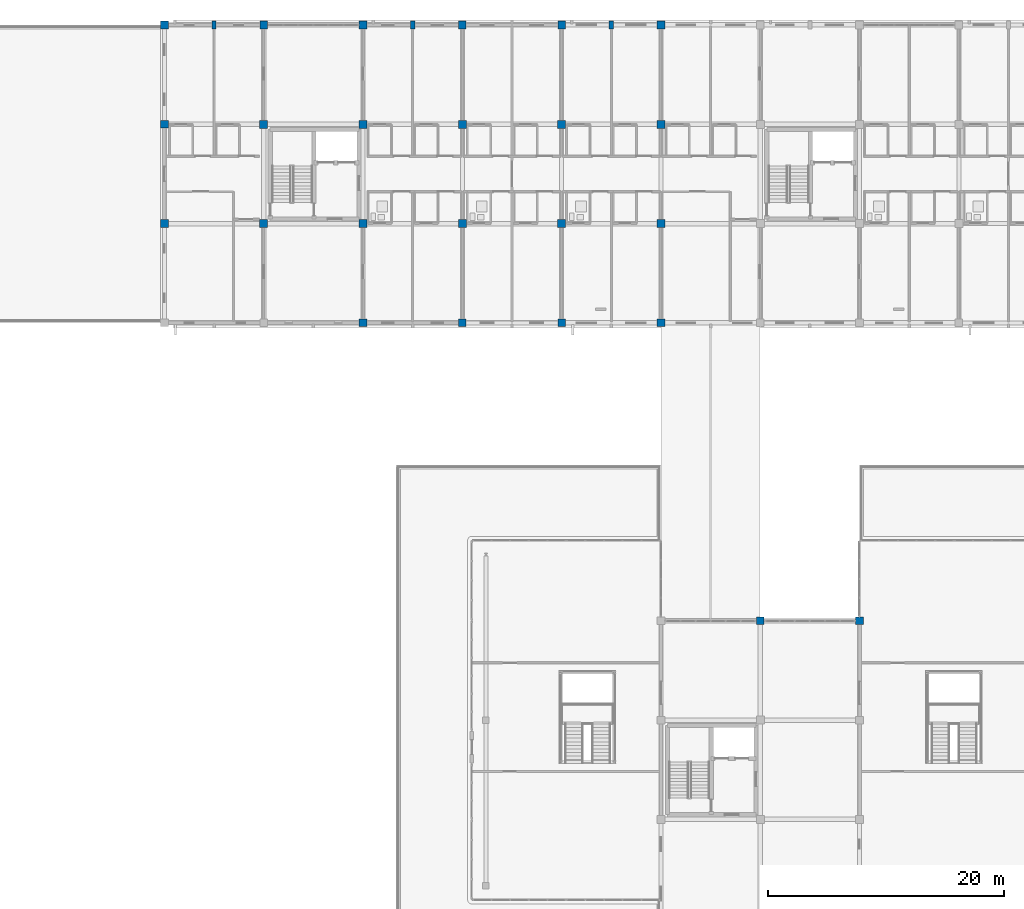
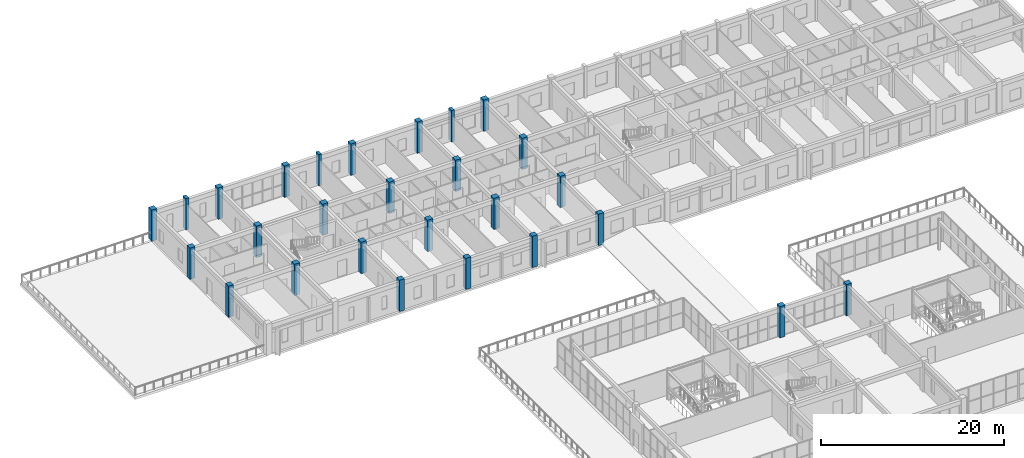
# One storey, part 7 of 90: 27 columns.
"""IFC4 building model written with IfcOpenShell, lengths in metres."""

from ifc_helpers import new_model, si_unit, direction, frame, origin, origin_2d, place, context, subcontext, project, spatial, rectangle, extrude, material, material_profile, profile_set, type_object, element, save


model = new_model("IFC4")

# Units and contexts
model_context = context("Model", 3, precision=1e-05, world=origin(), true_north=direction((0.0, 1.0)))
body_context = subcontext(model_context, "Body", "Model", "MODEL_VIEW")
ifc_project = project(units=[si_unit("LENGTHUNIT", "METRE"), si_unit("AREAUNIT", "SQUARE_METRE"), si_unit("VOLUMEUNIT", "CUBIC_METRE"), si_unit("PLANEANGLEUNIT", "RADIAN"), si_unit("MASSUNIT", "GRAM", prefix="KILO")], contexts=[model_context])

# Site, building, storey
site_placement = place(None, origin())
site = spatial("IfcSite", under=ifc_project, at=site_placement, CompositionType="ELEMENT")
building_placement = place(site_placement, origin())
building = spatial("IfcBuilding", under=site, at=building_placement, Name="Trelvath General Hospital", CompositionType="ELEMENT")
storey_placement = place(building_placement, frame((0.0, 0.0, 20.39990234375)))
storey = spatial("IfcBuildingStorey", under=building, at=storey_placement, Name="L05", CompositionType="ELEMENT", Elevation=20.39990234375)

# Columns
ifc_material_1 = material(Name="Concrete C40/50", Category="concrete")
ifc_material_profile_1 = material_profile(ifc_material_1, rectangle(XDim=0.64990234375, YDim=0.64990234375, at=origin_2d()), Name="RC650x650")
ifc_profile_set_1 = profile_set([ifc_material_profile_1], Name="Concrete C40/50")
column_type_1 = type_object("IfcColumnType", Name="Column RC650", PredefinedType="COLUMN", material=ifc_profile_set_1)
for number, where, z_axis, x_axis, name in (
    (1, (33.60009765625, 100.800048828125, 0.0), (0.0, 0.0, 1.0), (1.0, 0.0, 0.0), "Column C-5M L05"),
    (2, (33.60009765625, 109.199951171875, 0.0), (0.0, 0.0, 1.0), (1.0, 0.0, 0.0), "Column C-5N L05"),
    (3, (33.60009765625, 117.60009765625, 0.0), (0.0, 0.0, 1.0), (1.0, 0.0, 0.0), "Column C-5O L05"),
    (4, (42.0, 117.60009765625, 0.0), (0.0, 0.0, 1.0), (1.0, 0.0, 0.0), "Column C-6O L05"),
    (5, (50.39990234375, 92.39990234375, 0.0), (0.0, 0.0, 1.0), (1.0, 0.0, 0.0), "Column C-7L L05"),
    (6, (50.39990234375, 117.60009765625, 0.0), (0.0, 0.0, 1.0), (1.0, 0.0, 0.0), "Column C-7O L05"),
    (7, (58.800048828125, 92.39990234375, 0.0), (0.0, 0.0, 1.0), (1.0, 0.0, 0.0), "Column C-8L L05"),
    (8, (58.800048828125, 117.60009765625, 0.0), (0.0, 0.0, 1.0), (1.0, 0.0, 0.0), "Column C-8O L05"),
    (9, (67.199951171875, 92.39990234375, 0.0), (0.0, 0.0, 1.0), (1.0, 0.0, 0.0), "Column C-9L L05"),
    (10, (67.199951171875, 117.60009765625, 0.0), (0.0, 0.0, 1.0), (1.0, 0.0, 0.0), "Column C-9O L05"),
    (11, (75.60009765625, 92.39990234375, 0.0), (0.0, 0.0, 1.0), (1.0, 0.0, 0.0), "Column C-10L L05"),
    (12, (75.60009765625, 117.60009765625, 0.0), (0.0, 0.0, 1.0), (1.0, 0.0, 0.0), "Column C-10O L05"),
    (13, (84.0, 67.199951171875, 0.0), (0.0, 0.0, 1.0), (1.0, 0.0, 0.0), "Column C-11I L05"),
    (14, (92.39990234375, 67.199951171875, 0.0), (0.0, 0.0, 1.0), (1.0, 0.0, 0.0), "Column C-12I L05"),
):
    element("IfcColumn", number, at=place(storey_placement, frame(where, z_axis=z_axis, x_axis=x_axis)), inside=storey, type_object=column_type_1, Name=name, PredefinedType="COLUMN", context=body_context, shape_type="SweptSolid", body=[
        extrude(rectangle(XDim=0.64990234375, YDim=0.64990234375, at=origin_2d()), origin(), (0.0, 0.0, 1.0), 4.2001953125),
    ])
ifc_material_2 = material(Name="Concrete C40/50", Category="concrete")
ifc_material_profile_2 = material_profile(ifc_material_2, rectangle(XDim=0.679931640625, YDim=0.679931640625, at=origin_2d()), Name="RC680x680")
ifc_profile_set_2 = profile_set([ifc_material_profile_2], Name="Concrete C40/50")
column_type_2 = type_object("IfcColumnType", Name="Column RC680", PredefinedType="COLUMN", material=ifc_profile_set_2)
for number, where, z_axis, x_axis, name in (
    (15, (42.0, 100.800048828125, 0.0), (0.0, 0.0, 1.0), (1.0, 0.0, 0.0), "Column C-6M L05"),
    (16, (42.0, 109.199951171875, 0.0), (0.0, 0.0, 1.0), (1.0, 0.0, 0.0), "Column C-6N L05"),
    (17, (50.39990234375, 100.800048828125, 0.0), (0.0, 0.0, 1.0), (1.0, 0.0, 0.0), "Column C-7M L05"),
    (18, (50.39990234375, 109.199951171875, 0.0), (0.0, 0.0, 1.0), (1.0, 0.0, 0.0), "Column C-7N L05"),
    (19, (58.800048828125, 100.800048828125, 0.0), (0.0, 0.0, 1.0), (1.0, 0.0, 0.0), "Column C-8M L05"),
    (20, (58.800048828125, 109.199951171875, 0.0), (0.0, 0.0, 1.0), (1.0, 0.0, 0.0), "Column C-8N L05"),
    (21, (67.199951171875, 100.800048828125, 0.0), (0.0, 0.0, 1.0), (1.0, 0.0, 0.0), "Column C-9M L05"),
    (22, (67.199951171875, 109.199951171875, 0.0), (0.0, 0.0, 1.0), (1.0, 0.0, 0.0), "Column C-9N L05"),
    (23, (75.60009765625, 100.800048828125, 0.0), (0.0, 0.0, 1.0), (1.0, 0.0, 0.0), "Column C-10M L05"),
    (24, (75.60009765625, 109.199951171875, 0.0), (0.0, 0.0, 1.0), (1.0, 0.0, 0.0), "Column C-10N L05"),
):
    element("IfcColumn", number, at=place(storey_placement, frame(where, z_axis=z_axis, x_axis=x_axis)), inside=storey, type_object=column_type_2, Name=name, PredefinedType="COLUMN", context=body_context, shape_type="SweptSolid", body=[
        extrude(rectangle(XDim=0.679931640625, YDim=0.679931640625, at=origin_2d()), origin(), (0.0, 0.0, 1.0), 4.2001953125),
    ])
ifc_material_3 = material(Name="Concrete C40/50", Category="concrete")
ifc_material_profile_3 = material_profile(ifc_material_3, rectangle(XDim=0.35009765625, YDim=0.64990234375, at=origin_2d()), Name="RC350x650")
ifc_profile_set_3 = profile_set([ifc_material_profile_3], Name="Concrete C40/50")
column_type_3 = type_object("IfcColumnType", Name="Pilaster RC350x650", PredefinedType="PILASTER", material=ifc_profile_set_3)
for number, where, z_axis, x_axis, name in (
    (25, (37.800048828125, 117.60009765625, 0.0), (0.0, 0.0, 1.0), (1.0, 0.0, 0.0), "Facade Pilaster PL-N04 L05"),
    (26, (54.60009765625, 117.60009765625, 0.0), (0.0, 0.0, 1.0), (1.0, 0.0, 0.0), "Facade Pilaster PL-N06 L05"),
    (27, (71.39990234375, 117.60009765625, 0.0), (0.0, 0.0, 1.0), (1.0, 0.0, 0.0), "Facade Pilaster PL-N08 L05"),
):
    element("IfcColumn", number, at=place(storey_placement, frame(where, z_axis=z_axis, x_axis=x_axis)), inside=storey, type_object=column_type_3, Name=name, PredefinedType="PILASTER", context=body_context, shape_type="SweptSolid", body=[
        extrude(rectangle(XDim=0.35009765625, YDim=0.64990234375, at=origin_2d()), origin(), (0.0, 0.0, 1.0), 4.2001953125),
    ])

save(model, "model.ifc")
